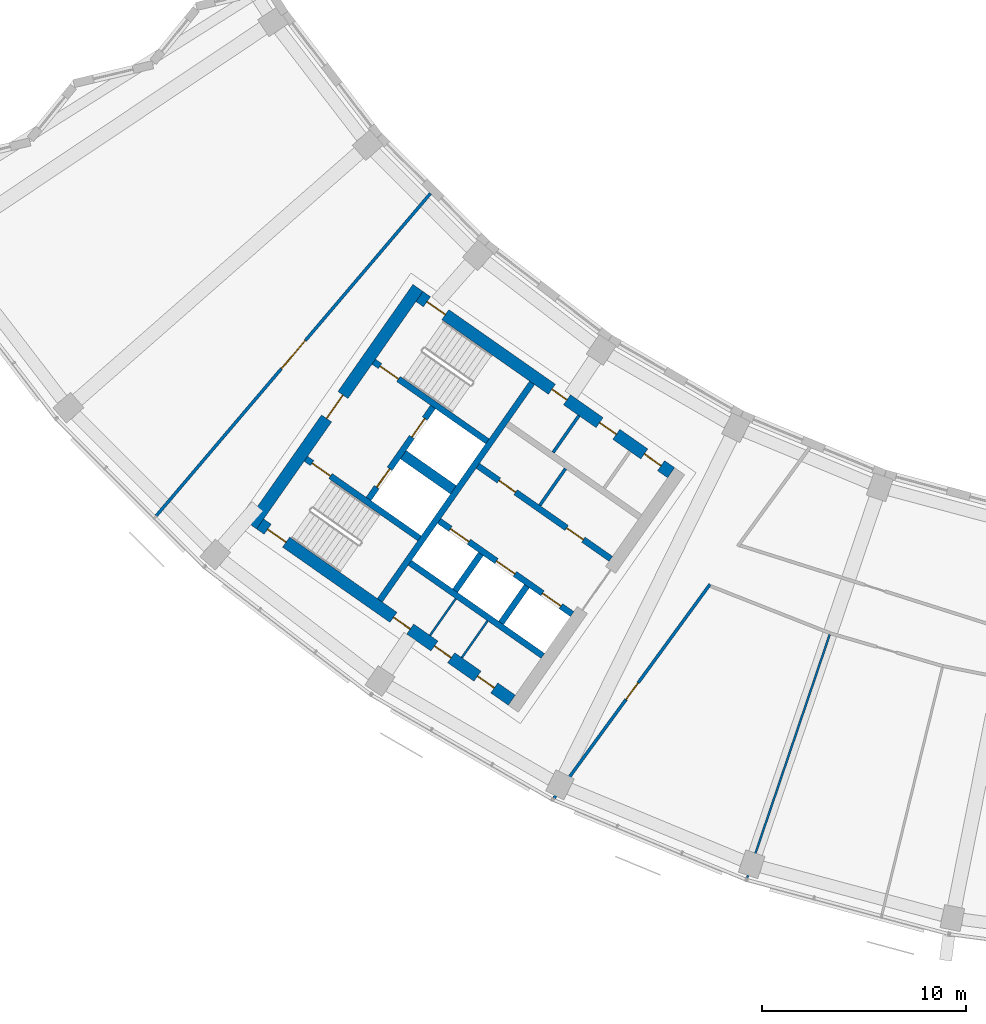
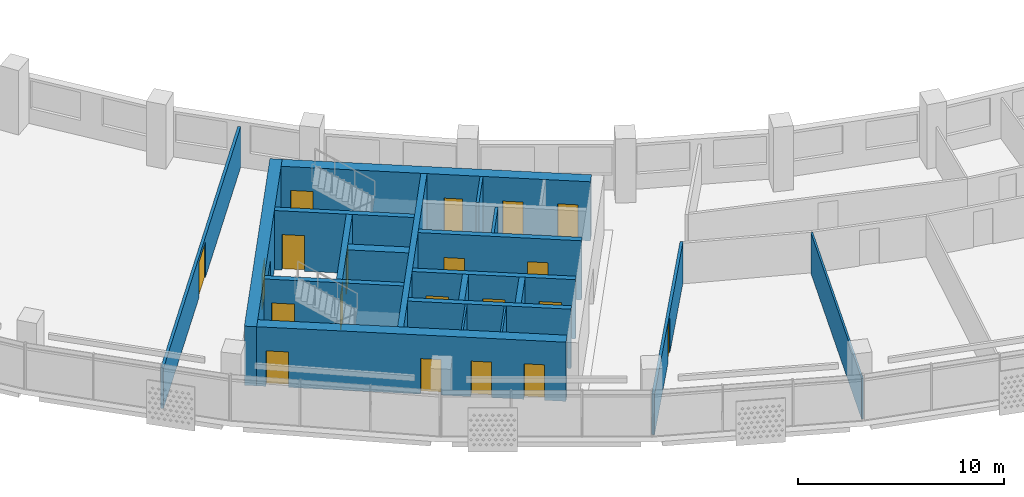
# One storey, part 3 of 28: 20 doors, 20 walls, 20 openings.
"""IFC4 building model written with IfcOpenShell, lengths in metres."""

from ifc_helpers import new_model, si_unit, direction, frame, frame_2d, origin, place, context, subcontext, project, spatial, rectangle, extrude, material, layer, layer_set, type_object, element, fill, save


model = new_model("IFC4")

# Units and contexts
model_context = context("Model", 3, precision=1e-05, world=origin(), true_north=direction((0.0, 1.0)))
body_context = subcontext(model_context, "Body", "Model", "MODEL_VIEW")
ifc_project = project(units=[si_unit("LENGTHUNIT", "METRE"), si_unit("AREAUNIT", "SQUARE_METRE"), si_unit("VOLUMEUNIT", "CUBIC_METRE"), si_unit("PLANEANGLEUNIT", "RADIAN"), si_unit("MASSUNIT", "GRAM", prefix="KILO")], contexts=[model_context])

# Site, building, storey
site_placement = place(None, origin())
site = spatial("IfcSite", under=ifc_project, at=site_placement, CompositionType="ELEMENT")
building_placement = place(site_placement, origin())
building = spatial("IfcBuilding", under=site, at=building_placement, Name="Qamariyya Broadcast Tower", CompositionType="ELEMENT")
storey_placement = place(building_placement, frame((0.0, 0.0, 215.10009765625)))
storey = spatial("IfcBuildingStorey", under=building, at=storey_placement, Name="L51", CompositionType="ELEMENT", Elevation=215.10009765625)

# Wall, opening, door
ifc_material_1 = material(Name="Concrete C60/75", Category="concrete")
ifc_layer_1 = layer(ifc_material_1, 0.60009765625)
ifc_layer_set_1 = layer_set([ifc_layer_1], Name="Core wall 600 mm Concrete C60/75")
wall_type_1 = type_object("IfcWallType", Name="Core wall 600 mm Concrete C60/75", PredefinedType="SHEAR", material=ifc_layer_set_1)
wall_1_placement = place(storey_placement, frame((-49.4833984375, -57.031494140625, 0.0), z_axis=(0.0, 0.0, 1.0), x_axis=(0.573560421458, 0.819163257805, 0.0)))
wall_1 = element("IfcWall", 1, at=wall_1_placement, inside=storey, type_object=wall_type_1, Name="k-W-L51-WH", PredefinedType="SHEAR", context=body_context, shape_type="SweptSolid", body=[
    extrude(rectangle(XDim=14.199951171875, YDim=0.60009765625, at=frame_2d((7.10009765625, 0.0))), origin(), (0.0, 0.0, 1.0), 3.5),
])
opening_1_placement = place(wall_1_placement, frame((6.39990234375, 0.0, 0.0)))
opening_1 = element("IfcOpeningElement", 2, at=opening_1_placement, cuts=wall_1, Name="Opening KD2-W1", PredefinedType="OPENING", context=body_context, shape_type="SweptSolid", body=[
    extrude(rectangle(XDim=1.39990234375, YDim=2.10009765625, at=frame_2d((0.699951171875, 1.050048828125))), frame((0.0, 0.31005859375, 0.0), z_axis=(0.0, -1.0, 0.0), x_axis=(1.0, 0.0, 0.0)), (0.0, 0.0, 1.0), 0.6201171875),
])
ifc_material_2 = material(Name="Steel fire-resisting door leaf", Category="steel")
door_type_1 = type_object("IfcDoorType", Name="Fire-fighting lobby door KD2", OperationType="DOUBLE_DOOR_SINGLE_SWING", PredefinedType="DOOR", material=ifc_material_2)
door_1_placement = place(opening_1_placement, origin())
door_1 = element("IfcDoor", 3, at=door_1_placement, inside=storey, type_object=door_type_1, Name="k-W-L51-WH-D15", OperationType="DOUBLE_DOOR_SINGLE_SWING", OverallHeight=2.10009765625, OverallWidth=1.39990234375, PredefinedType="DOOR", context=body_context, shape_type="SweptSolid", body=[
    extrude(rectangle(XDim=1.39990234375, YDim=2.10009765625, at=frame_2d((0.699951171875, 1.050048828125))), frame((0.0, 0.02490234375, 0.0), z_axis=(0.0, -1.0, 0.0), x_axis=(1.0, 0.0, 0.0)), (0.0, 0.0, 1.0), 0.050048828125),
])
fill(opening_1, door_1)

# Wall, openings, doors
wall_2_placement = place(storey_placement, frame((-28.940673828125, -54.447021484375, 0.0), z_axis=(0.0, 0.0, 1.0), x_axis=(-0.819153391756, 0.573574511963, 0.0)))
wall_2 = element("IfcWall", 4, at=wall_2_placement, inside=storey, type_object=wall_type_1, Name="k-W-L51-WI", PredefinedType="SHEAR", context=body_context, shape_type="SweptSolid", body=[
    extrude(rectangle(XDim=15.04541015625, YDim=0.60009765625, at=frame_2d((7.522705078125, 0.0))), origin(), (0.0, 0.0, 1.0), 3.5),
])
opening_2_placement = place(wall_2_placement, frame((0.60009765625, 0.0, 0.0)))
opening_2 = element("IfcOpeningElement", 5, at=opening_2_placement, cuts=wall_2, Name="Opening KD7-W1", PredefinedType="OPENING", context=body_context, shape_type="SweptSolid", body=[
    extrude(rectangle(XDim=1.0, YDim=2.10009765625, at=frame_2d((0.5, 1.050048828125))), frame((0.0, 0.31005859375, 0.0), z_axis=(0.0, -1.0, 0.0), x_axis=(1.0, 0.0, 0.0)), (0.0, 0.0, 1.0), 0.6201171875),
])
opening_3_placement = place(wall_2_placement, frame((3.27490234375, 0.0, 0.0)))
opening_3 = element("IfcOpeningElement", 6, at=opening_3_placement, cuts=wall_2, Name="Opening KD6-W3", PredefinedType="OPENING", context=body_context, shape_type="SweptSolid", body=[
    extrude(rectangle(XDim=1.0, YDim=2.10009765625, at=frame_2d((0.5, 1.050048828125))), frame((0.0, 0.31005859375, 0.0), z_axis=(0.0, -1.0, 0.0), x_axis=(1.0, 0.0, 0.0)), (0.0, 0.0, 1.0), 0.6201171875),
])
opening_4_placement = place(wall_2_placement, frame((6.22509765625, 0.0, 0.0)))
opening_4 = element("IfcOpeningElement", 7, at=opening_4_placement, cuts=wall_2, Name="Opening KD5-W1", PredefinedType="OPENING", context=body_context, shape_type="SweptSolid", body=[
    extrude(rectangle(XDim=0.89990234375, YDim=2.10009765625, at=frame_2d((0.449951171875, 1.050048828125))), frame((0.0, 0.31005859375, 0.0), z_axis=(0.0, -1.0, 0.0), x_axis=(1.0, 0.0, 0.0)), (0.0, 0.0, 1.0), 0.6201171875),
])
opening_5_placement = place(wall_2_placement, frame((13.495361328125, 0.0, 0.0)))
opening_5 = element("IfcOpeningElement", 8, at=opening_5_placement, cuts=wall_2, Name="Opening KD1-W1", PredefinedType="OPENING", context=body_context, shape_type="SweptSolid", body=[
    extrude(rectangle(XDim=1.10009765625, YDim=2.10009765625, at=frame_2d((0.550048828125, 1.050048828125))), frame((0.0, 0.31005859375, 0.0), z_axis=(0.0, -1.0, 0.0), x_axis=(1.0, 0.0, 0.0)), (0.0, 0.0, 1.0), 0.6201171875),
])
door_type_2 = type_object("IfcDoorType", Name="Accessible toilet door KD7", OperationType="SINGLE_SWING_LEFT", PredefinedType="DOOR", material=ifc_material_2)
door_2_placement = place(opening_2_placement, origin())
door_2 = element("IfcDoor", 9, at=door_2_placement, inside=storey, type_object=door_type_2, Name="k-W-L51-WI-D7", OperationType="SINGLE_SWING_RIGHT", OverallHeight=2.10009765625, OverallWidth=1.0, PredefinedType="DOOR", context=body_context, shape_type="SweptSolid", body=[
    extrude(rectangle(XDim=1.0, YDim=2.10009765625, at=frame_2d((0.5, 1.050048828125))), frame((0.0, 0.02490234375, 0.0), z_axis=(0.0, -1.0, 0.0), x_axis=(1.0, 0.0, 0.0)), (0.0, 0.0, 1.0), 0.050048828125),
])
fill(opening_2, door_2)
door_type_3 = type_object("IfcDoorType", Name="Core room door KD6", OperationType="SINGLE_SWING_LEFT", PredefinedType="DOOR", material=ifc_material_2)
door_3_placement = place(opening_3_placement, origin())
door_3 = element("IfcDoor", 10, at=door_3_placement, inside=storey, type_object=door_type_3, Name="k-W-L51-WI-D8", OperationType="SINGLE_SWING_LEFT", OverallHeight=2.10009765625, OverallWidth=1.0, PredefinedType="DOOR", context=body_context, shape_type="SweptSolid", body=[
    extrude(rectangle(XDim=1.0, YDim=2.10009765625, at=frame_2d((0.5, 1.050048828125))), frame((0.0, 0.02490234375, 0.0), z_axis=(0.0, -1.0, 0.0), x_axis=(1.0, 0.0, 0.0)), (0.0, 0.0, 1.0), 0.050048828125),
])
fill(opening_3, door_3)
door_type_4 = type_object("IfcDoorType", Name="Stair door KD1", OperationType="SINGLE_SWING_LEFT", PredefinedType="DOOR", material=ifc_material_2)
door_4_placement = place(opening_5_placement, origin())
door_4 = element("IfcDoor", 11, at=door_4_placement, inside=storey, type_object=door_type_4, Name="k-W-L51-WI-D16", OperationType="SINGLE_SWING_RIGHT", OverallHeight=2.10009765625, OverallWidth=1.10009765625, PredefinedType="DOOR", context=body_context, shape_type="SweptSolid", body=[
    extrude(rectangle(XDim=1.10009765625, YDim=2.10009765625, at=frame_2d((0.550048828125, 1.050048828125))), frame((0.0, 0.02490234375, 0.0), z_axis=(0.0, -1.0, 0.0), x_axis=(1.0, 0.0, 0.0)), (0.0, 0.0, 1.0), 0.050048828125),
])
fill(opening_5, door_4)
door_type_5 = type_object("IfcDoorType", Name="Toilet door KD5", OperationType="SINGLE_SWING_LEFT", PredefinedType="DOOR", material=ifc_material_2)
door_5_placement = place(opening_4_placement, origin())
door_5 = element("IfcDoor", 12, at=door_5_placement, inside=storey, type_object=door_type_5, Name="k-W-L51-WI-D9", OperationType="SINGLE_SWING_RIGHT", OverallHeight=2.10009765625, OverallWidth=0.89990234375, PredefinedType="DOOR", context=body_context, shape_type="SweptSolid", body=[
    extrude(rectangle(XDim=0.89990234375, YDim=2.10009765625, at=frame_2d((0.449951171875, 1.050048828125))), frame((0.0, 0.02490234375, 0.0), z_axis=(0.0, -1.0, 0.0), x_axis=(1.0, 0.0, 0.0)), (0.0, 0.0, 1.0), 0.050048828125),
])
fill(opening_4, door_5)

wall_3_placement = place(storey_placement, frame((-36.7412109375, -65.58740234375, 0.0), z_axis=(0.0, 0.0, 1.0), x_axis=(-0.819153391756, 0.573574511963, 0.0)))
wall_3 = element("IfcWall", 13, at=wall_3_placement, inside=storey, type_object=wall_type_1, Name="k-W-L51-WO", PredefinedType="SHEAR", context=body_context, shape_type="SweptSolid", body=[
    extrude(rectangle(XDim=15.04541015625, YDim=0.60009765625, at=frame_2d((7.522705078125, 0.0))), origin(), (0.0, 0.0, 1.0), 3.5),
])
opening_6_placement = place(wall_3_placement, frame((1.050048828125, 0.0, 0.0)))
opening_6 = element("IfcOpeningElement", 14, at=opening_6_placement, cuts=wall_3, Name="Opening KD4-W1", PredefinedType="OPENING", context=body_context, shape_type="SweptSolid", body=[
    extrude(rectangle(XDim=1.0, YDim=2.10009765625, at=frame_2d((0.5, 1.050048828125))), frame((0.0, 0.31005859375, 0.0), z_axis=(0.0, -1.0, 0.0), x_axis=(1.0, 0.0, 0.0)), (0.0, 0.0, 1.0), 0.6201171875),
])
opening_7_placement = place(wall_3_placement, frame((3.625, 0.0, 0.0)))
opening_7 = element("IfcOpeningElement", 15, at=opening_7_placement, cuts=wall_3, Name="Opening KD4-W2", PredefinedType="OPENING", context=body_context, shape_type="SweptSolid", body=[
    extrude(rectangle(XDim=1.0, YDim=2.10009765625, at=frame_2d((0.5, 1.050048828125))), frame((0.0, 0.31005859375, 0.0), z_axis=(0.0, -1.0, 0.0), x_axis=(1.0, 0.0, 0.0)), (0.0, 0.0, 1.0), 0.6201171875),
])
opening_8_placement = place(wall_3_placement, frame((6.074951171875, 0.0, 0.0)))
opening_8 = element("IfcOpeningElement", 16, at=opening_8_placement, cuts=wall_3, Name="Opening KD6-W4", PredefinedType="OPENING", context=body_context, shape_type="SweptSolid", body=[
    extrude(rectangle(XDim=1.0, YDim=2.10009765625, at=frame_2d((0.5, 1.050048828125))), frame((0.0, 0.31005859375, 0.0), z_axis=(0.0, -1.0, 0.0), x_axis=(1.0, 0.0, 0.0)), (0.0, 0.0, 1.0), 0.6201171875),
])
opening_9_placement = place(wall_3_placement, frame((13.495361328125, 0.0, 0.0)))
opening_9 = element("IfcOpeningElement", 17, at=opening_9_placement, cuts=wall_3, Name="Opening KD1-W3", PredefinedType="OPENING", context=body_context, shape_type="SweptSolid", body=[
    extrude(rectangle(XDim=1.10009765625, YDim=2.10009765625, at=frame_2d((0.550048828125, 1.050048828125))), frame((0.0, 0.31005859375, 0.0), z_axis=(0.0, -1.0, 0.0), x_axis=(1.0, 0.0, 0.0)), (0.0, 0.0, 1.0), 0.6201171875),
])
door_6_placement = place(opening_8_placement, origin())
door_6 = element("IfcDoor", 18, at=door_6_placement, inside=storey, type_object=door_type_3, Name="k-W-L51-WO-D12", OperationType="SINGLE_SWING_LEFT", OverallHeight=2.10009765625, OverallWidth=1.0, PredefinedType="DOOR", context=body_context, shape_type="SweptSolid", body=[
    extrude(rectangle(XDim=1.0, YDim=2.10009765625, at=frame_2d((0.5, 1.050048828125))), frame((0.0, 0.02490234375, 0.0), z_axis=(0.0, -1.0, 0.0), x_axis=(1.0, 0.0, 0.0)), (0.0, 0.0, 1.0), 0.050048828125),
])
fill(opening_8, door_6)
door_type_6 = type_object("IfcDoorType", Name="Riser and plant door KD4", OperationType="SINGLE_SWING_LEFT", PredefinedType="DOOR", material=ifc_material_2)
door_7_placement = place(opening_6_placement, origin())
door_7 = element("IfcDoor", 19, at=door_7_placement, inside=storey, type_object=door_type_6, Name="k-W-L51-WO-D10", OperationType="SINGLE_SWING_LEFT", OverallHeight=2.10009765625, OverallWidth=1.0, PredefinedType="DOOR", context=body_context, shape_type="SweptSolid", body=[
    extrude(rectangle(XDim=1.0, YDim=2.10009765625, at=frame_2d((0.5, 1.050048828125))), frame((0.0, 0.02490234375, 0.0), z_axis=(0.0, -1.0, 0.0), x_axis=(1.0, 0.0, 0.0)), (0.0, 0.0, 1.0), 0.050048828125),
])
fill(opening_6, door_7)
door_8_placement = place(opening_7_placement, origin())
door_8 = element("IfcDoor", 20, at=door_8_placement, inside=storey, type_object=door_type_6, Name="k-W-L51-WO-D11", OperationType="SINGLE_SWING_RIGHT", OverallHeight=2.10009765625, OverallWidth=1.0, PredefinedType="DOOR", context=body_context, shape_type="SweptSolid", body=[
    extrude(rectangle(XDim=1.0, YDim=2.10009765625, at=frame_2d((0.5, 1.050048828125))), frame((0.0, 0.02490234375, 0.0), z_axis=(0.0, -1.0, 0.0), x_axis=(1.0, 0.0, 0.0)), (0.0, 0.0, 1.0), 0.050048828125),
])
fill(opening_7, door_8)
door_9_placement = place(opening_9_placement, origin())
door_9 = element("IfcDoor", 21, at=door_9_placement, inside=storey, type_object=door_type_4, Name="k-W-L51-WO-D18", OperationType="SINGLE_SWING_LEFT", OverallHeight=2.10009765625, OverallWidth=1.10009765625, PredefinedType="DOOR", context=body_context, shape_type="SweptSolid", body=[
    extrude(rectangle(XDim=1.10009765625, YDim=2.10009765625, at=frame_2d((0.550048828125, 1.050048828125))), frame((0.0, 0.02490234375, 0.0), z_axis=(0.0, -1.0, 0.0), x_axis=(1.0, 0.0, 0.0)), (0.0, 0.0, 1.0), 0.050048828125),
])
fill(opening_9, door_9)

# Wall, opening, door
ifc_material_3 = material(Name="Gypsum board partition")
ifc_layer_2 = layer(ifc_material_3, 0.14990234375)
ifc_layer_set_2 = layer_set([ifc_layer_2], Name="Corridor partition 150 EI 60")
wall_type_2 = type_object("IfcWallType", Name="Corridor partition 150 EI 60", PredefinedType="PARTITIONING", material=ifc_layer_set_2)
wall_4_placement = place(storey_placement, frame((-54.15283203125, -56.554931640625, 0.0), z_axis=(0.0, 0.0, 1.0), x_axis=(0.647962636986, 0.761672121762, 0.0)))
wall_4 = element("IfcWall", 22, at=wall_4_placement, inside=storey, type_object=wall_type_2, Name="Partition L51-001", PredefinedType="PARTITIONING", context=body_context, shape_type="SweptSolid", body=[
    extrude(rectangle(XDim=20.723388671875, YDim=0.14990234375, at=frame_2d((10.36181640625, 0.0))), origin(), (0.0, 0.0, 1.0), 2.39990234375),
])
opening_10_placement = place(wall_4_placement, frame((9.461669921875, 0.0, 0.0)))
opening_10 = element("IfcOpeningElement", 23, at=opening_10_placement, cuts=wall_4, Name="Opening L51-D13", PredefinedType="OPENING", context=body_context, shape_type="SweptSolid", body=[
    extrude(rectangle(XDim=1.800048828125, YDim=2.10009765625, at=frame_2d((0.89990234375, 1.050048828125))), frame((0.0, 0.0849609375, 0.0), z_axis=(0.0, -1.0, 0.0), x_axis=(1.0, 0.0, 0.0)), (0.0, 0.0, 1.0), 0.169921875),
])
ifc_material_4 = material(Name="Timber fire door leaf", Category="wood")
door_type_7 = type_object("IfcDoorType", Name="Double fire door 1800 x 2100 FD60", OperationType="NOTDEFINED", PredefinedType="DOOR", material=ifc_material_4)
door_10_placement = place(opening_10_placement, origin())
door_10 = element("IfcDoor", 24, at=door_10_placement, inside=storey, type_object=door_type_7, Name="Door L51-D13", OperationType="DOUBLE_DOOR_SINGLE_SWING", OverallHeight=2.10009765625, OverallWidth=1.800048828125, PredefinedType="DOOR", context=body_context, shape_type="SweptSolid", body=[
    extrude(rectangle(XDim=1.800048828125, YDim=2.10009765625, at=frame_2d((0.89990234375, 1.050048828125))), frame((0.0, 0.02490234375, 0.0), z_axis=(0.0, -1.0, 0.0), x_axis=(1.0, 0.0, 0.0)), (0.0, 0.0, 1.0), 0.050048828125),
])
fill(opening_10, door_10)

wall_5_placement = place(storey_placement, frame((-27.033447265625, -59.90966796875, 0.0), z_axis=(0.0, 0.0, 1.0), x_axis=(-0.589273648147, -0.807933516819, 0.0)))
wall_5 = element("IfcWall", 25, at=wall_5_placement, inside=storey, type_object=wall_type_2, Name="Partition L51-002", PredefinedType="PARTITIONING", context=body_context, shape_type="SweptSolid", body=[
    extrude(rectangle(XDim=12.956298828125, YDim=0.14990234375, at=frame_2d((6.47802734375, 0.0))), origin(), (0.0, 0.0, 1.0), 2.39990234375),
])
opening_11_placement = place(wall_5_placement, frame((5.97802734375, 0.0, 0.0)))
opening_11 = element("IfcOpeningElement", 26, at=opening_11_placement, cuts=wall_5, Name="Opening L51-D01", PredefinedType="OPENING", context=body_context, shape_type="SweptSolid", body=[
    extrude(rectangle(XDim=1.0, YDim=2.10009765625, at=frame_2d((0.5, 1.050048828125))), frame((0.0, 0.0849609375, 0.0), z_axis=(0.0, -1.0, 0.0), x_axis=(1.0, 0.0, 0.0)), (0.0, 0.0, 1.0), 0.169921875),
])
door_type_8 = type_object("IfcDoorType", Name="Fire door 1000 x 2100 FD60", OperationType="NOTDEFINED", PredefinedType="DOOR", material=ifc_material_4)
door_11_placement = place(opening_11_placement, origin())
door_11 = element("IfcDoor", 27, at=door_11_placement, inside=storey, type_object=door_type_8, Name="Door L51-D01", OperationType="SINGLE_SWING_RIGHT", OverallHeight=2.10009765625, OverallWidth=1.0, PredefinedType="DOOR", context=body_context, shape_type="SweptSolid", body=[
    extrude(rectangle(XDim=1.0, YDim=2.10009765625, at=frame_2d((0.5, 1.050048828125))), frame((0.0, 0.02490234375, 0.0), z_axis=(0.0, -1.0, 0.0), x_axis=(1.0, 0.0, 0.0)), (0.0, 0.0, 1.0), 0.050048828125),
])
fill(opening_11, door_11)

# Walls
ifc_layer_3 = layer(ifc_material_1, 0.5)
ifc_layer_set_3 = layer_set([ifc_layer_3], Name="Fire-fighting lobby divider wall 500 mm Concrete C60/75")
wall_type_3 = type_object("IfcWallType", Name="Fire-fighting lobby divider wall 500 mm Concrete C60/75", PredefinedType="SOLIDWALL", material=ifc_layer_set_3)
wall_6_placement = place(storey_placement, frame((-39.59912109375, -55.28515625, 0.0), z_axis=(0.0, 0.0, 1.0), x_axis=(-0.819136323161, 0.573598887793, 0.0)))
element("IfcWall", 28, at=wall_6_placement, inside=storey, type_object=wall_type_3, Name="k-W-L51-FD", PredefinedType="SOLIDWALL", context=body_context, shape_type="SweptSolid", body=[
    extrude(rectangle(XDim=2.999755859375, YDim=0.5, at=frame_2d((1.5, 0.0))), origin(), (0.0, 0.0, 1.0), 3.5),
])
ifc_material_5 = material(Name="Gypsum board partition on steel studs", Category="steel")
ifc_layer_4 = layer(ifc_material_5, 0.14990234375)
ifc_layer_set_4 = layer_set([ifc_layer_4], Name="Gypsum board partition 150 mm")
wall_type_4 = type_object("IfcWallType", Name="Gypsum board partition 150 mm", PredefinedType="PARTITIONING", material=ifc_layer_set_4)
wall_7_placement = place(storey_placement, frame((-35.371826171875, -56.047607421875, 0.0), z_axis=(0.0, 0.0, 1.0), x_axis=(0.573559170999, 0.819164133348, 0.0)))
element("IfcWall", 29, at=wall_7_placement, inside=storey, type_object=wall_type_4, Name="k-W-L51-NC435", PredefinedType="PARTITIONING", context=body_context, shape_type="SweptSolid", body=[
    extrude(rectangle(XDim=2.19970703125, YDim=0.14990234375, at=frame_2d((1.099853515625, 0.0))), origin(), (0.0, 0.0, 1.0), 3.5),
])
wall_8_placement = place(storey_placement, frame((-34.716064453125, -53.454833984375, 0.0), z_axis=(0.0, 0.0, 1.0), x_axis=(0.573507030513, 0.819200638399, 0.0)))
element("IfcWall", 30, at=wall_8_placement, inside=storey, type_object=wall_type_4, Name="k-W-L51-NP530", PredefinedType="PARTITIONING", context=body_context, shape_type="SweptSolid", body=[
    extrude(rectangle(XDim=2.199951171875, YDim=0.14990234375, at=frame_2d((1.10009765625, 0.0))), origin(), (0.0, 0.0, 1.0), 3.5),
])
ifc_layer_5 = layer(ifc_material_1, 0.300048828125)
ifc_layer_set_5 = layer_set([ifc_layer_5], Name="Lift shaft wall 300 mm Concrete C60/75")
wall_type_5 = type_object("IfcWallType", Name="Lift shaft wall 300 mm Concrete C60/75", PredefinedType="SOLIDWALL", material=ifc_layer_set_5)
wall_9_placement = place(storey_placement, frame((-43.204345703125, -60.69580078125, 0.0), z_axis=(0.0, 0.0, 1.0), x_axis=(0.573571992966, 0.819155155563, 0.0)))
element("IfcWall", 31, at=wall_9_placement, inside=storey, type_object=wall_type_5, Name="k-W-L51-WL", PredefinedType="SOLIDWALL", context=body_context, shape_type="SweptSolid", body=[
    extrude(rectangle(XDim=13.000244140625, YDim=0.300048828125, at=frame_2d((6.5, 0.0))), origin(), (0.0, 0.0, 1.0), 3.5),
])

# Wall, openings, doors
wall_10_placement = place(storey_placement, frame((-31.89453125, -58.66552734375, 0.0), z_axis=(0.0, 0.0, 1.0), x_axis=(-0.819166993208, 0.573555086491, 0.0)))
wall_10 = element("IfcWall", 32, at=wall_10_placement, inside=storey, type_object=wall_type_5, Name="k-W-L51-NF0", PredefinedType="SOLIDWALL", context=body_context, shape_type="SweptSolid", body=[
    extrude(rectangle(XDim=7.9501953125, YDim=0.300048828125, at=frame_2d((3.97509765625, 0.0))), origin(), (0.0, 0.0, 1.0), 3.5),
])
opening_12_placement = place(wall_10_placement, frame((1.637451171875, 0.0, 0.0)))
opening_12 = element("IfcOpeningElement", 33, at=opening_12_placement, cuts=wall_10, Name="Opening KD6-W1", PredefinedType="OPENING", context=body_context, shape_type="SweptSolid", body=[
    extrude(rectangle(XDim=1.0, YDim=2.10009765625, at=frame_2d((0.5, 1.050048828125))), frame((0.0, 0.159912109375, 0.0), z_axis=(0.0, -1.0, 0.0), x_axis=(1.0, 0.0, 0.0)), (0.0, 0.0, 1.0), 0.320068359375),
])
opening_13_placement = place(wall_10_placement, frame((5.6875, 0.0, 0.0)))
opening_13 = element("IfcOpeningElement", 34, at=opening_13_placement, cuts=wall_10, Name="Opening KD6-W2", PredefinedType="OPENING", context=body_context, shape_type="SweptSolid", body=[
    extrude(rectangle(XDim=1.0, YDim=2.10009765625, at=frame_2d((0.5, 1.050048828125))), frame((0.0, 0.159912109375, 0.0), z_axis=(0.0, -1.0, 0.0), x_axis=(1.0, 0.0, 0.0)), (0.0, 0.0, 1.0), 0.320068359375),
])
door_12_placement = place(opening_12_placement, origin())
door_12 = element("IfcDoor", 35, at=door_12_placement, inside=storey, type_object=door_type_3, Name="k-W-L51-NF0-D2", OperationType="SINGLE_SWING_LEFT", OverallHeight=2.10009765625, OverallWidth=1.0, PredefinedType="DOOR", context=body_context, shape_type="SweptSolid", body=[
    extrude(rectangle(XDim=1.0, YDim=2.10009765625, at=frame_2d((0.5, 1.050048828125))), frame((0.0, 0.02490234375, 0.0), z_axis=(0.0, -1.0, 0.0), x_axis=(1.0, 0.0, 0.0)), (0.0, 0.0, 1.0), 0.050048828125),
])
fill(opening_12, door_12)
door_13_placement = place(opening_13_placement, origin())
door_13 = element("IfcDoor", 36, at=door_13_placement, inside=storey, type_object=door_type_3, Name="k-W-L51-NF0-D3", OperationType="SINGLE_SWING_RIGHT", OverallHeight=2.10009765625, OverallWidth=1.0, PredefinedType="DOOR", context=body_context, shape_type="SweptSolid", body=[
    extrude(rectangle(XDim=1.0, YDim=2.10009765625, at=frame_2d((0.5, 1.050048828125))), frame((0.0, 0.02490234375, 0.0), z_axis=(0.0, -1.0, 0.0), x_axis=(1.0, 0.0, 0.0)), (0.0, 0.0, 1.0), 0.050048828125),
])
fill(opening_13, door_13)

wall_11_placement = place(storey_placement, frame((-33.787353515625, -61.368896484375, 0.0), z_axis=(0.0, 0.0, 1.0), x_axis=(-0.819152564888, 0.573575692858, 0.0)))
wall_11 = element("IfcWall", 37, at=wall_11_placement, inside=storey, type_object=wall_type_5, Name="k-W-L51-SF0", PredefinedType="SOLIDWALL", context=body_context, shape_type="SweptSolid", body=[
    extrude(rectangle(XDim=7.9501953125, YDim=0.300048828125, at=frame_2d((3.97509765625, 0.0))), origin(), (0.0, 0.0, 1.0), 3.5),
])
opening_14_placement = place(wall_11_placement, frame((0.675048828125, 0.0, 0.0)))
opening_14 = element("IfcOpeningElement", 38, at=opening_14_placement, cuts=wall_11, Name="Opening LD", PredefinedType="OPENING", context=body_context, shape_type="SweptSolid", body=[
    extrude(rectangle(XDim=1.10009765625, YDim=2.10009765625, at=frame_2d((0.550048828125, 1.050048828125))), frame((0.0, 0.159912109375, 0.0), z_axis=(0.0, -1.0, 0.0), x_axis=(1.0, 0.0, 0.0)), (0.0, 0.0, 1.0), 0.320068359375),
])
opening_15_placement = place(wall_11_placement, frame((3.425048828125, 0.0, 0.0)))
opening_15 = element("IfcOpeningElement", 39, at=opening_15_placement, cuts=wall_11, Name="Opening LD", PredefinedType="OPENING", context=body_context, shape_type="SweptSolid", body=[
    extrude(rectangle(XDim=1.10009765625, YDim=2.10009765625, at=frame_2d((0.550048828125, 1.050048828125))), frame((0.0, 0.159912109375, 0.0), z_axis=(0.0, -1.0, 0.0), x_axis=(1.0, 0.0, 0.0)), (0.0, 0.0, 1.0), 0.320068359375),
])
opening_16_placement = place(wall_11_placement, frame((6.175048828125, 0.0, 0.0)))
opening_16 = element("IfcOpeningElement", 40, at=opening_16_placement, cuts=wall_11, Name="Opening LD", PredefinedType="OPENING", context=body_context, shape_type="SweptSolid", body=[
    extrude(rectangle(XDim=1.10009765625, YDim=2.10009765625, at=frame_2d((0.550048828125, 1.050048828125))), frame((0.0, 0.159912109375, 0.0), z_axis=(0.0, -1.0, 0.0), x_axis=(1.0, 0.0, 0.0)), (0.0, 0.0, 1.0), 0.320068359375),
])
door_type_9 = type_object("IfcDoorType", Name="Lift landing door LD", OperationType="DOUBLE_DOOR_SLIDING", PredefinedType="DOOR", material=ifc_material_2)
door_14_placement = place(opening_14_placement, origin())
door_14 = element("IfcDoor", 41, at=door_14_placement, inside=storey, type_object=door_type_9, Name="k-W-L51-SF0-D4", OperationType="DOUBLE_DOOR_SLIDING", OverallHeight=2.10009765625, OverallWidth=1.10009765625, PredefinedType="DOOR", context=body_context, shape_type="SweptSolid", body=[
    extrude(rectangle(XDim=1.10009765625, YDim=2.10009765625, at=frame_2d((0.550048828125, 1.050048828125))), frame((0.0, 0.02490234375, 0.0), z_axis=(0.0, -1.0, 0.0), x_axis=(1.0, 0.0, 0.0)), (0.0, 0.0, 1.0), 0.050048828125),
])
fill(opening_14, door_14)
door_15_placement = place(opening_15_placement, origin())
door_15 = element("IfcDoor", 42, at=door_15_placement, inside=storey, type_object=door_type_9, Name="k-W-L51-SF0-D5", OperationType="DOUBLE_DOOR_SLIDING", OverallHeight=2.10009765625, OverallWidth=1.10009765625, PredefinedType="DOOR", context=body_context, shape_type="SweptSolid", body=[
    extrude(rectangle(XDim=1.10009765625, YDim=2.10009765625, at=frame_2d((0.550048828125, 1.050048828125))), frame((0.0, 0.02490234375, 0.0), z_axis=(0.0, -1.0, 0.0), x_axis=(1.0, 0.0, 0.0)), (0.0, 0.0, 1.0), 0.050048828125),
])
fill(opening_15, door_15)
door_16_placement = place(opening_16_placement, origin())
door_16 = element("IfcDoor", 43, at=door_16_placement, inside=storey, type_object=door_type_9, Name="k-W-L51-SF0-D6", OperationType="DOUBLE_DOOR_SLIDING", OverallHeight=2.10009765625, OverallWidth=1.10009765625, PredefinedType="DOOR", context=body_context, shape_type="SweptSolid", body=[
    extrude(rectangle(XDim=1.10009765625, YDim=2.10009765625, at=frame_2d((0.550048828125, 1.050048828125))), frame((0.0, 0.02490234375, 0.0), z_axis=(0.0, -1.0, 0.0), x_axis=(1.0, 0.0, 0.0)), (0.0, 0.0, 1.0), 0.050048828125),
])
fill(opening_16, door_16)

# Walls
wall_12_placement = place(storey_placement, frame((-35.22119140625, -63.41650390625, 0.0), z_axis=(0.0, 0.0, 1.0), x_axis=(-0.819166993208, 0.573555086491, 0.0)))
element("IfcWall", 44, at=wall_12_placement, inside=storey, type_object=wall_type_5, Name="k-W-L51-SB0", PredefinedType="SOLIDWALL", context=body_context, shape_type="SweptSolid", body=[
    extrude(rectangle(XDim=7.9501953125, YDim=0.300048828125, at=frame_2d((3.97509765625, 0.0))), origin(), (0.0, 0.0, 1.0), 3.5),
])
wall_13_placement = place(storey_placement, frame((-36.003173828125, -60.000244140625, 0.0), z_axis=(0.0, 0.0, 1.0), x_axis=(-0.573581496053, -0.819148501424, 0.0)))
element("IfcWall", 45, at=wall_13_placement, inside=storey, type_object=wall_type_5, Name="k-W-L51-SD0", PredefinedType="SOLIDWALL", context=body_context, shape_type="SweptSolid", body=[
    extrude(rectangle(XDim=2.2001953125, YDim=0.300048828125, at=frame_2d((1.10009765625, 0.0))), origin(), (0.0, 0.0, 1.0), 3.5),
])
wall_14_placement = place(storey_placement, frame((-38.255859375, -58.423095703125, 0.0), z_axis=(0.0, 0.0, 1.0), x_axis=(-0.573633636671, -0.819111989218, 0.0)))
element("IfcWall", 46, at=wall_14_placement, inside=storey, type_object=wall_type_5, Name="k-W-L51-SD1", PredefinedType="SOLIDWALL", context=body_context, shape_type="SweptSolid", body=[
    extrude(rectangle(XDim=2.199951171875, YDim=0.300048828125, at=frame_2d((1.10009765625, 0.0))), origin(), (0.0, 0.0, 1.0), 3.5),
])

# Wall, opening, door
wall_15_placement = place(storey_placement, frame((-37.935546875, -52.90966796875, 0.0), z_axis=(0.0, 0.0, 1.0), x_axis=(-0.819147518138, 0.57358290031, 0.0)))
wall_15 = element("IfcWall", 47, at=wall_15_placement, inside=storey, type_object=wall_type_5, Name="k-W-L51-NW", PredefinedType="SOLIDWALL", context=body_context, shape_type="SweptSolid", body=[
    extrude(rectangle(XDim=6.79541015625, YDim=0.300048828125, at=frame_2d((3.397705078125, 0.0))), origin(), (0.0, 0.0, 1.0), 3.5),
])
opening_17_placement = place(wall_15_placement, frame((5.3203125, 0.0, 0.0)))
opening_17 = element("IfcOpeningElement", 48, at=opening_17_placement, cuts=wall_15, Name="Opening KD1-W2", PredefinedType="OPENING", context=body_context, shape_type="SweptSolid", body=[
    extrude(rectangle(XDim=1.10009765625, YDim=2.10009765625, at=frame_2d((0.550048828125, 1.050048828125))), frame((0.0, 0.159912109375, 0.0), z_axis=(0.0, -1.0, 0.0), x_axis=(1.0, 0.0, 0.0)), (0.0, 0.0, 1.0), 0.320068359375),
])
door_17_placement = place(opening_17_placement, origin())
door_17 = element("IfcDoor", 49, at=door_17_placement, inside=storey, type_object=door_type_4, Name="k-W-L51-NW-D17", OperationType="SINGLE_SWING_RIGHT", OverallHeight=2.10009765625, OverallWidth=1.10009765625, PredefinedType="DOOR", context=body_context, shape_type="SweptSolid", body=[
    extrude(rectangle(XDim=1.10009765625, YDim=2.10009765625, at=frame_2d((0.550048828125, 1.050048828125))), frame((0.0, 0.02490234375, 0.0), z_axis=(0.0, -1.0, 0.0), x_axis=(1.0, 0.0, 0.0)), (0.0, 0.0, 1.0), 0.050048828125),
])
fill(opening_17, door_17)

wall_16_placement = place(storey_placement, frame((-41.262451171875, -57.66064453125, 0.0), z_axis=(0.0, 0.0, 1.0), x_axis=(-0.819164398642, 0.573558792102, 0.0)))
wall_16 = element("IfcWall", 50, at=wall_16_placement, inside=storey, type_object=wall_type_5, Name="k-W-L51-SW", PredefinedType="SOLIDWALL", context=body_context, shape_type="SweptSolid", body=[
    extrude(rectangle(XDim=6.795166015625, YDim=0.300048828125, at=frame_2d((3.3974609375, 0.0))), origin(), (0.0, 0.0, 1.0), 3.5),
])
opening_18_placement = place(wall_16_placement, frame((5.3203125, 0.0, 0.0)))
opening_18 = element("IfcOpeningElement", 51, at=opening_18_placement, cuts=wall_16, Name="Opening KD1-W4", PredefinedType="OPENING", context=body_context, shape_type="SweptSolid", body=[
    extrude(rectangle(XDim=1.10009765625, YDim=2.10009765625, at=frame_2d((0.550048828125, 1.050048828125))), frame((0.0, 0.159912109375, 0.0), z_axis=(0.0, -1.0, 0.0), x_axis=(1.0, 0.0, 0.0)), (0.0, 0.0, 1.0), 0.320068359375),
])
door_18_placement = place(opening_18_placement, origin())
door_18 = element("IfcDoor", 52, at=door_18_placement, inside=storey, type_object=door_type_4, Name="k-W-L51-SW-D19", OperationType="SINGLE_SWING_RIGHT", OverallHeight=2.10009765625, OverallWidth=1.10009765625, PredefinedType="DOOR", context=body_context, shape_type="SweptSolid", body=[
    extrude(rectangle(XDim=1.10009765625, YDim=2.10009765625, at=frame_2d((0.550048828125, 1.050048828125))), frame((0.0, 0.02490234375, 0.0), z_axis=(0.0, -1.0, 0.0), x_axis=(1.0, 0.0, 0.0)), (0.0, 0.0, 1.0), 0.050048828125),
])
fill(opening_18, door_18)

# Wall, openings, doors
wall_17_placement = place(storey_placement, frame((-43.756591796875, -55.731201171875, 0.0), z_axis=(0.0, 0.0, 1.0), x_axis=(0.573536818435, 0.819179783625, 0.0)))
wall_17 = element("IfcWall", 53, at=wall_17_placement, inside=storey, type_object=wall_type_5, Name="k-W-L51-FF", PredefinedType="SOLIDWALL", context=body_context, shape_type="SweptSolid", body=[
    extrude(rectangle(XDim=5.500244140625, YDim=0.300048828125, at=frame_2d((2.75, 0.0))), origin(), (0.0, 0.0, 1.0), 3.5),
])
opening_19_placement = place(wall_17_placement, frame((0.699951171875, 0.0, 0.0)))
opening_19 = element("IfcOpeningElement", 54, at=opening_19_placement, cuts=wall_17, Name="Opening LD", PredefinedType="OPENING", context=body_context, shape_type="SweptSolid", body=[
    extrude(rectangle(XDim=1.10009765625, YDim=2.10009765625, at=frame_2d((0.550048828125, 1.050048828125))), frame((0.0, 0.159912109375, 0.0), z_axis=(0.0, -1.0, 0.0), x_axis=(1.0, 0.0, 0.0)), (0.0, 0.0, 1.0), 0.320068359375),
])
opening_20_placement = place(wall_17_placement, frame((3.699951171875, 0.0, 0.0)))
opening_20 = element("IfcOpeningElement", 55, at=opening_20_placement, cuts=wall_17, Name="Opening LD", PredefinedType="OPENING", context=body_context, shape_type="SweptSolid", body=[
    extrude(rectangle(XDim=1.10009765625, YDim=2.10009765625, at=frame_2d((0.550048828125, 1.050048828125))), frame((0.0, 0.159912109375, 0.0), z_axis=(0.0, -1.0, 0.0), x_axis=(1.0, 0.0, 0.0)), (0.0, 0.0, 1.0), 0.320068359375),
])
door_19_placement = place(opening_19_placement, origin())
door_19 = element("IfcDoor", 56, at=door_19_placement, inside=storey, type_object=door_type_9, Name="k-W-L51-FF-D13", OperationType="DOUBLE_DOOR_SLIDING", OverallHeight=2.10009765625, OverallWidth=1.10009765625, PredefinedType="DOOR", context=body_context, shape_type="SweptSolid", body=[
    extrude(rectangle(XDim=1.10009765625, YDim=2.10009765625, at=frame_2d((0.550048828125, 1.050048828125))), frame((0.0, 0.02490234375, 0.0), z_axis=(0.0, -1.0, 0.0), x_axis=(1.0, 0.0, 0.0)), (0.0, 0.0, 1.0), 0.050048828125),
])
fill(opening_19, door_19)
door_20_placement = place(opening_20_placement, origin())
door_20 = element("IfcDoor", 57, at=door_20_placement, inside=storey, type_object=door_type_9, Name="k-W-L51-FF-D14", OperationType="DOUBLE_DOOR_SLIDING", OverallHeight=2.10009765625, OverallWidth=1.10009765625, PredefinedType="DOOR", context=body_context, shape_type="SweptSolid", body=[
    extrude(rectangle(XDim=1.10009765625, YDim=2.10009765625, at=frame_2d((0.550048828125, 1.050048828125))), frame((0.0, 0.02490234375, 0.0), z_axis=(0.0, -1.0, 0.0), x_axis=(1.0, 0.0, 0.0)), (0.0, 0.0, 1.0), 0.050048828125),
])
fill(opening_20, door_20)

# Walls
ifc_layer_6 = layer(ifc_material_3, 0.10009765625)
ifc_layer_set_6 = layer_set([ifc_layer_6], Name="Partition 100")
wall_type_6 = type_object("IfcWallType", Name="Partition 100", PredefinedType="PARTITIONING", material=ifc_layer_set_6)
wall_18_placement = place(storey_placement, frame((-25.217041015625, -74.28662109375, 0.0), z_axis=(0.0, 0.0, 1.0), x_axis=(0.321447438057, 0.946927423072, 0.0)))
element("IfcWall", 58, at=wall_18_placement, inside=storey, type_object=wall_type_6, Name="Partition L51-005", PredefinedType="PARTITIONING", context=body_context, shape_type="SweptSolid", body=[
    extrude(rectangle(XDim=12.5751953125, YDim=0.10009765625, at=frame_2d((6.28759765625, 0.0))), origin(), (0.0, 0.0, 1.0), 2.39990234375),
])
ifc_material_6 = material(Name="Fire-rated gypsum shaft liner on steel studs", Category="steel")
ifc_layer_7 = layer(ifc_material_6, 0.10009765625)
ifc_layer_set_7 = layer_set([ifc_layer_7], Name="Riser wall 100 mm")
wall_type_7 = type_object("IfcWallType", Name="Riser wall 100 mm", PredefinedType="PLUMBINGWALL", material=ifc_layer_set_7)
wall_19_placement = place(storey_placement, frame((-37.9287109375, -61.7041015625, 0.0), z_axis=(0.0, 0.0, 1.0), x_axis=(-0.573559170999, -0.819164133348, 0.0)))
element("IfcWall", 59, at=wall_19_placement, inside=storey, type_object=wall_type_7, Name="k-W-L51-SP320", PredefinedType="PLUMBINGWALL", context=body_context, shape_type="SweptSolid", body=[
    extrude(rectangle(XDim=2.19970703125, YDim=0.10009765625, at=frame_2d((1.099853515625, 0.0))), origin(), (0.0, 0.0, 1.0), 3.5),
])
wall_20_placement = place(storey_placement, frame((-39.485107421875, -60.6142578125, 0.0), z_axis=(0.0, 0.0, 1.0), x_axis=(-0.573507030513, -0.819200638399, 0.0)))
element("IfcWall", 60, at=wall_20_placement, inside=storey, type_object=wall_type_7, Name="k-W-L51-SP510", PredefinedType="PLUMBINGWALL", context=body_context, shape_type="SweptSolid", body=[
    extrude(rectangle(XDim=2.199951171875, YDim=0.10009765625, at=frame_2d((1.10009765625, 0.0))), origin(), (0.0, 0.0, 1.0), 3.5),
])

save(model, "model.ifc")
